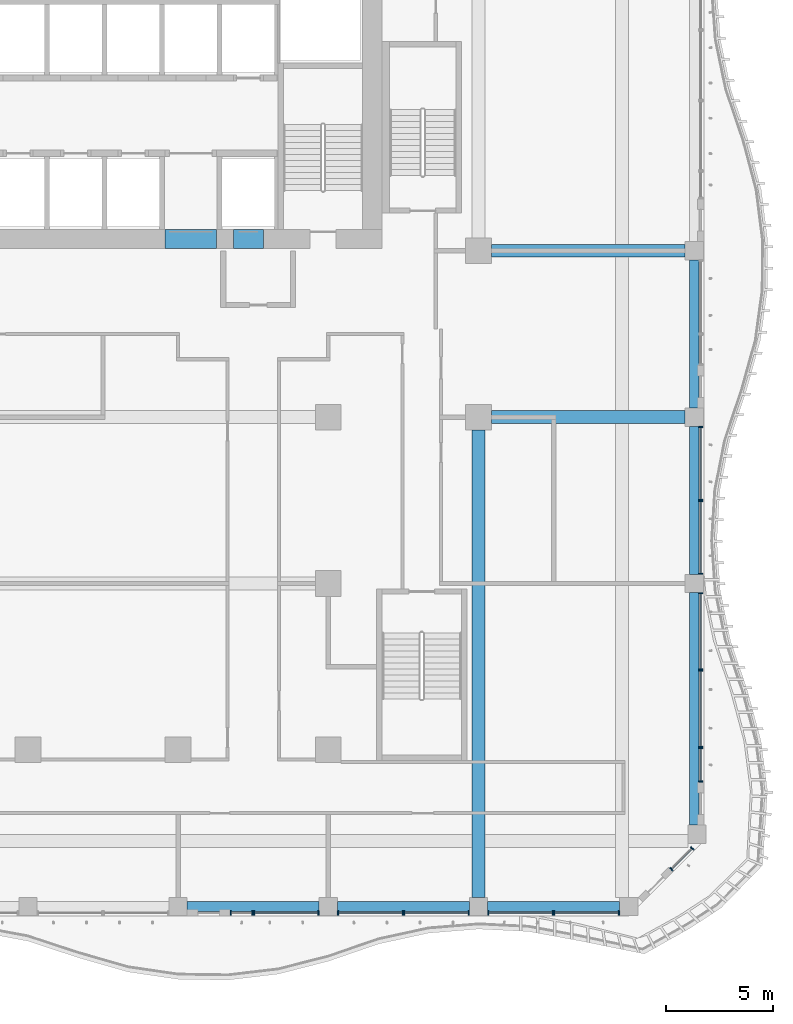
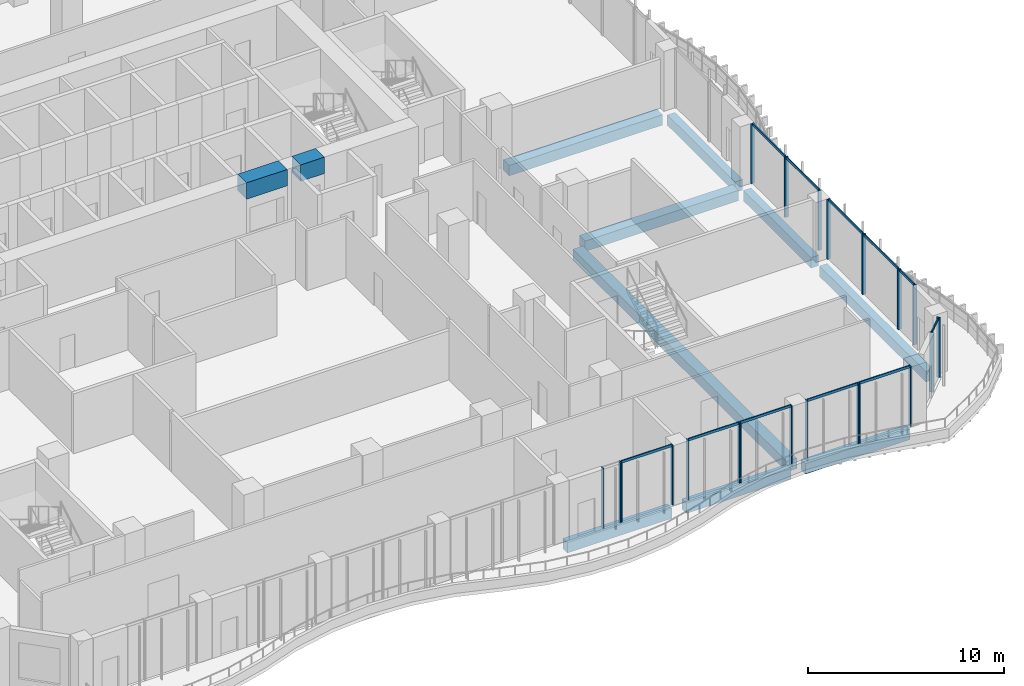
# One storey, part 4 of 26: 35 members, 11 beams, 12 elements without a shape of their own.
"""IFC4 building model written with IfcOpenShell, lengths in metres."""

from ifc_helpers import new_model, si_unit, direction, frame, origin, origin_2d, place, context, subcontext, project, spatial, rectangle, extrude, source, transform, mapped, material, material_profile, profile_set, type_object, element, aggregate, save


model = new_model("IFC4")

# Units and contexts
model_context = context("Model", 3, precision=1e-05, world=origin(), true_north=direction((0.0, 1.0)))
body_context = subcontext(model_context, "Body", "Model", "MODEL_VIEW")
ifc_project = project(units=[si_unit("LENGTHUNIT", "METRE"), si_unit("AREAUNIT", "SQUARE_METRE"), si_unit("VOLUMEUNIT", "CUBIC_METRE"), si_unit("PLANEANGLEUNIT", "RADIAN"), si_unit("MASSUNIT", "GRAM", prefix="KILO")], contexts=[model_context])

# Site, building, storey
site_placement = place(None, origin())
site = spatial("IfcSite", under=ifc_project, at=site_placement, CompositionType="ELEMENT")
building_placement = place(site_placement, origin())
building = spatial("IfcBuilding", under=site, at=building_placement, Name="Kilnfold Tower and Market Hall", CompositionType="ELEMENT")
storey_placement = place(building_placement, frame((0.0, 0.0, 108.60009765625)))
storey = spatial("IfcBuildingStorey", under=building, at=storey_placement, Name="L25", CompositionType="ELEMENT", Elevation=108.60009765625)

# Beams
ifc_material_1 = material(Name="Concrete C70", Category="concrete")
ifc_material_profile_1 = material_profile(ifc_material_1, rectangle(XDim=0.89990234375, YDim=1.02001953125, at=origin_2d()), Name="RC 900x1020")
ifc_profile_set_1 = profile_set([ifc_material_profile_1], Name="Concrete C70")
beam_type_1 = type_object("IfcBeamType", Name="COUPLING BEAM 900X1020 C70", PredefinedType="BEAM", material=ifc_profile_set_1)
shared_shape_1 = source(origin(), body_context, "Body", "SweptSolid", [
    extrude(rectangle(XDim=0.89990234375, YDim=1.02001953125, at=origin_2d()), origin(), (0.0, 0.0, 1.0), 1.39990234375),
])
beam_1_placement = place(storey_placement, frame((11.070068359375, 8.550048828125, 3.2099609375), z_axis=(1.0, 0.0, 0.0), x_axis=(0.0, 1.0, 0.0)))
element("IfcBeam", 1, at=beam_1_placement, inside=storey, type_object=beam_type_1, Name="Coupling beam CB1020-70-CORE.43", PredefinedType="BEAM", context=body_context, shape_type="MappedRepresentation", body=[
    mapped(shared_shape_1, transform((0.0, 0.0, 0.0))),
])
shared_shape_2 = source(origin(), body_context, "Body", "SweptSolid", [
    extrude(rectangle(XDim=0.89990234375, YDim=1.02001953125, at=origin_2d()), origin(), (0.0, 0.0, 1.0), 2.400146484375),
])
beam_2_placement = place(storey_placement, frame((7.889892578125, 8.550048828125, 3.2099609375), z_axis=(1.0, 0.0, 0.0), x_axis=(0.0, 1.0, 0.0)))
element("IfcBeam", 2, at=beam_2_placement, inside=storey, type_object=beam_type_1, Name="Coupling beam CB1020-70-CORE.42", PredefinedType="BEAM", context=body_context, shape_type="MappedRepresentation", body=[
    mapped(shared_shape_2, transform((0.0, 0.0, 0.0))),
])
ifc_material_2 = material(Name="Concrete C45", Category="concrete")
ifc_material_profile_2 = material_profile(ifc_material_2, rectangle(XDim=0.449951171875, YDim=0.64990234375, at=origin_2d()), Name="RC 450x650")
ifc_profile_set_2 = profile_set([ifc_material_profile_2], Name="Concrete C45")
beam_type_2 = type_object("IfcBeamType", Name="EDGE BEAM 450X650 C45", PredefinedType="BEAM", material=ifc_profile_set_2)
shared_shape_3 = source(origin(), body_context, "Body", "SweptSolid", [
    extrude(rectangle(XDim=0.449951171875, YDim=0.64990234375, at=origin_2d()), origin(), (0.0, 0.0, 1.0), 6.14990234375),
])
for number, where, z_axis, x_axis, name in (
    (3, (8.925048828125, -22.550048828125, -0.60498046875), (1.0, 0.0, 0.0), (0.0, 1.0, 0.0), "Beam EB650-B3.56"),
    (4, (15.925048828125, -22.550048828125, -0.60498046875), (1.0, 0.0, 0.0), (0.0, 1.0, 0.0), "Beam EB650-B3.57"),
    (5, (22.925048828125, -22.550048828125, -0.60498046875), (1.0, 0.0, 0.0), (0.0, 1.0, 0.0), "Beam EB650-B3.58"),
):
    element("IfcBeam", number, at=place(storey_placement, frame(where, z_axis=z_axis, x_axis=x_axis)), inside=storey, type_object=beam_type_2, Name=name, PredefinedType="BEAM", context=body_context, shape_type="MappedRepresentation", body=[
        mapped(shared_shape_3, transform((0.0, 0.0, 0.0))),
    ])
ifc_material_3 = material(Name="Concrete C45", Category="concrete")
ifc_material_profile_3 = material_profile(ifc_material_3, rectangle(XDim=0.60009765625, YDim=0.64990234375, at=origin_2d()), Name="RC 600x650")
ifc_profile_set_3 = profile_set([ifc_material_profile_3], Name="Concrete C45")
beam_type_3 = type_object("IfcBeamType", Name="BEAM 600X650 C45", PredefinedType="BEAM", material=ifc_profile_set_3)
shared_shape_4 = source(origin(), body_context, "Body", "SweptSolid", [
    extrude(rectangle(XDim=0.60009765625, YDim=0.64990234375, at=origin_2d()), origin(), (0.0, 0.0, 1.0), 9.02490234375),
])
for number, where, z_axis, x_axis, name in (
    (6, (23.10009765625, 0.25, -0.60498046875), (1.0, 0.0, 0.0), (0.0, 1.0, 0.0), "Beam BB650-B3.63"),
    (7, (23.10009765625, 8.0, -0.60498046875), (1.0, 0.0, 0.0), (0.0, 1.0, 0.0), "Beam BB650-B3.64"),
):
    element("IfcBeam", number, at=place(storey_placement, frame(where, z_axis=z_axis, x_axis=x_axis)), inside=storey, type_object=beam_type_3, Name=name, PredefinedType="BEAM", context=body_context, shape_type="MappedRepresentation", body=[
        mapped(shared_shape_4, transform((0.0, 0.0, 0.0))),
    ])
shared_shape_5 = source(origin(), body_context, "Body", "SweptSolid", [
    extrude(rectangle(XDim=0.449951171875, YDim=0.64990234375, at=origin_2d()), origin(), (0.0, 0.0, 1.0), 6.89990234375),
])
for number, where, z_axis, x_axis, name in (
    (8, (32.550048828125, -7.074951171875, -0.60498046875), (0.0, 1.0, 0.0), (-1.0, 0.0, 0.0), "Beam EB650-B3.84"),
    (9, (32.550048828125, 0.675048828125, -0.60498046875), (0.0, 1.0, 0.0), (-1.0, 0.0, 0.0), "Beam EB650-B3.85"),
):
    element("IfcBeam", number, at=place(storey_placement, frame(where, z_axis=z_axis, x_axis=x_axis)), inside=storey, type_object=beam_type_2, Name=name, PredefinedType="BEAM", context=body_context, shape_type="MappedRepresentation", body=[
        mapped(shared_shape_5, transform((0.0, 0.0, 0.0))),
    ])
shared_shape_6 = source(origin(), body_context, "Body", "SweptSolid", [
    extrude(rectangle(XDim=0.60009765625, YDim=0.64990234375, at=origin_2d()), origin(), (0.0, 0.0, 1.0), 21.77490234375),
])
beam_3_placement = place(storey_placement, frame((22.5, -22.125, -0.60498046875), z_axis=(0.0, 1.0, 0.0), x_axis=(-1.0, 0.0, 0.0)))
element("IfcBeam", 10, at=beam_3_placement, inside=storey, type_object=beam_type_3, Name="Beam BB650-B3.80", PredefinedType="BEAM", context=body_context, shape_type="MappedRepresentation", body=[
    mapped(shared_shape_6, transform((0.0, 0.0, 0.0))),
])
shared_shape_7 = source(origin(), body_context, "Body", "SweptSolid", [
    extrude(rectangle(XDim=0.449951171875, YDim=0.64990234375, at=origin_2d()), origin(), (0.0, 0.0, 1.0), 10.831787109375),
])
beam_4_placement = place(storey_placement, frame((32.550048828125, -18.7568359375, -0.60498046875), z_axis=(0.0, 1.0, 0.0), x_axis=(-1.0, 0.0, 0.0)))
element("IfcBeam", 11, at=beam_4_placement, inside=storey, type_object=beam_type_2, Name="Beam EB650-B3.83", PredefinedType="BEAM", context=body_context, shape_type="MappedRepresentation", body=[
    mapped(shared_shape_7, transform((0.0, 0.0, 0.0))),
])

# Curtain wall, members
ifc_material_4 = material(Name="Aluminium and double glazing", Category="aluminium")
curtain_wall_type = type_object("IfcCurtainWallType", Name="CW OF2 VALLEY GLAZING", PredefinedType="NOTDEFINED", material=ifc_material_4)
curtain_wall_1_placement = place(storey_placement, origin())
curtain_wall_1 = element("IfcCurtainWall", 12, at=curtain_wall_1_placement, inside=storey, type_object=curtain_wall_type, Name="Curtain wall CW2 L25 S", PredefinedType="NOTDEFINED")
ifc_material_5 = material(Name="Aluminium", Category="aluminium")
ifc_material_profile_4 = material_profile(ifc_material_5, rectangle(XDim=0.06005859375, YDim=0.199951171875, at=origin_2d()), Name="MULLION 60x200")
ifc_profile_set_4 = profile_set([ifc_material_profile_4], Name="Aluminium")
member_type_1 = type_object("IfcMemberType", Name="MULLION 60X200", PredefinedType="MULLION", material=ifc_profile_set_4)
shared_shape_8 = source(origin(), body_context, "Body", "SweptSolid", [
    extrude(rectangle(XDim=0.06005859375, YDim=0.199951171875, at=origin_2d()), origin(), (0.0, 0.0, 1.0), 3.719970703125),
])
member_1_placement = place(storey_placement, frame((10.955078125, -22.85009765625, 0.0), z_axis=(0.0, 0.0, 1.0), x_axis=(1.0, 0.0, 0.0)))
member_1 = element("IfcMember", 13, at=member_1_placement, type_object=member_type_1, Name="CW2 mullion 1", PredefinedType="MULLION", context=body_context, shape_type="MappedRepresentation", body=[
    mapped(shared_shape_8, transform((0.0, 0.0, 0.0))),
])
member_2_placement = place(storey_placement, frame((11.969970703125, -22.85009765625, 0.0), z_axis=(0.0, 0.0, 1.0), x_axis=(1.0, 0.0, 0.0)))
member_2 = element("IfcMember", 14, at=member_2_placement, type_object=member_type_1, Name="CW2 mullion 2", PredefinedType="MULLION", context=body_context, shape_type="MappedRepresentation", body=[
    mapped(shared_shape_8, transform((0.0, 0.0, 0.0))),
])
aggregate(curtain_wall_1, [member_1, member_2])

curtain_wall_2_placement = place(storey_placement, origin())
curtain_wall_2 = element("IfcCurtainWall", 15, at=curtain_wall_2_placement, inside=storey, type_object=curtain_wall_type, Name="Curtain wall CW2 L25 S", PredefinedType="NOTDEFINED")
member_3_placement = place(storey_placement, frame((12.030029296875, -22.85009765625, 0.0), z_axis=(0.0, 0.0, 1.0), x_axis=(1.0, 0.0, 0.0)))
member_3 = element("IfcMember", 16, at=member_3_placement, type_object=member_type_1, Name="CW2 mullion 1", PredefinedType="MULLION", context=body_context, shape_type="MappedRepresentation", body=[
    mapped(shared_shape_8, transform((0.0, 0.0, 0.0))),
])
member_4_placement = place(storey_placement, frame((15.044921875, -22.85009765625, 0.0), z_axis=(0.0, 0.0, 1.0), x_axis=(1.0, 0.0, 0.0)))
member_4 = element("IfcMember", 17, at=member_4_placement, type_object=member_type_1, Name="CW2 mullion 2", PredefinedType="MULLION", context=body_context, shape_type="MappedRepresentation", body=[
    mapped(shared_shape_8, transform((0.0, 0.0, 0.0))),
])

curtain_wall_3_placement = place(storey_placement, origin())
curtain_wall_3 = element("IfcCurtainWall", 18, at=curtain_wall_3_placement, inside=storey, type_object=curtain_wall_type, Name="Curtain wall CW2 L25 S", PredefinedType="NOTDEFINED")
member_5_placement = place(storey_placement, frame((15.955078125, -22.85009765625, 0.0), z_axis=(0.0, 0.0, 1.0), x_axis=(1.0, 0.0, 0.0)))
member_5 = element("IfcMember", 19, at=member_5_placement, type_object=member_type_1, Name="CW2 mullion 1", PredefinedType="MULLION", context=body_context, shape_type="MappedRepresentation", body=[
    mapped(shared_shape_8, transform((0.0, 0.0, 0.0))),
])
member_6_placement = place(storey_placement, frame((18.969970703125, -22.85009765625, 0.0), z_axis=(0.0, 0.0, 1.0), x_axis=(1.0, 0.0, 0.0)))
member_6 = element("IfcMember", 20, at=member_6_placement, type_object=member_type_1, Name="CW2 mullion 2", PredefinedType="MULLION", context=body_context, shape_type="MappedRepresentation", body=[
    mapped(shared_shape_8, transform((0.0, 0.0, 0.0))),
])

curtain_wall_4_placement = place(storey_placement, origin())
curtain_wall_4 = element("IfcCurtainWall", 21, at=curtain_wall_4_placement, inside=storey, type_object=curtain_wall_type, Name="Curtain wall CW2 L25 S", PredefinedType="NOTDEFINED")
member_7_placement = place(storey_placement, frame((19.030029296875, -22.85009765625, 0.0), z_axis=(0.0, 0.0, 1.0), x_axis=(1.0, 0.0, 0.0)))
member_7 = element("IfcMember", 22, at=member_7_placement, type_object=member_type_1, Name="CW2 mullion 1", PredefinedType="MULLION", context=body_context, shape_type="MappedRepresentation", body=[
    mapped(shared_shape_8, transform((0.0, 0.0, 0.0))),
])
member_8_placement = place(storey_placement, frame((22.044921875, -22.85009765625, 0.0), z_axis=(0.0, 0.0, 1.0), x_axis=(1.0, 0.0, 0.0)))
member_8 = element("IfcMember", 23, at=member_8_placement, type_object=member_type_1, Name="CW2 mullion 2", PredefinedType="MULLION", context=body_context, shape_type="MappedRepresentation", body=[
    mapped(shared_shape_8, transform((0.0, 0.0, 0.0))),
])

curtain_wall_5_placement = place(storey_placement, origin())
curtain_wall_5 = element("IfcCurtainWall", 24, at=curtain_wall_5_placement, inside=storey, type_object=curtain_wall_type, Name="Curtain wall CW2 L25 S", PredefinedType="NOTDEFINED")
member_9_placement = place(storey_placement, frame((22.955078125, -22.85009765625, 0.0), z_axis=(0.0, 0.0, 1.0), x_axis=(1.0, 0.0, 0.0)))
member_9 = element("IfcMember", 25, at=member_9_placement, type_object=member_type_1, Name="CW2 mullion 1", PredefinedType="MULLION", context=body_context, shape_type="MappedRepresentation", body=[
    mapped(shared_shape_8, transform((0.0, 0.0, 0.0))),
])
member_10_placement = place(storey_placement, frame((25.969970703125, -22.85009765625, 0.0), z_axis=(0.0, 0.0, 1.0), x_axis=(1.0, 0.0, 0.0)))
member_10 = element("IfcMember", 26, at=member_10_placement, type_object=member_type_1, Name="CW2 mullion 2", PredefinedType="MULLION", context=body_context, shape_type="MappedRepresentation", body=[
    mapped(shared_shape_8, transform((0.0, 0.0, 0.0))),
])

curtain_wall_6_placement = place(storey_placement, origin())
curtain_wall_6 = element("IfcCurtainWall", 27, at=curtain_wall_6_placement, inside=storey, type_object=curtain_wall_type, Name="Curtain wall CW2 L25 S", PredefinedType="NOTDEFINED")
member_11_placement = place(storey_placement, frame((26.030029296875, -22.85009765625, 0.0), z_axis=(0.0, 0.0, 1.0), x_axis=(1.0, 0.0, 0.0)))
member_11 = element("IfcMember", 28, at=member_11_placement, type_object=member_type_1, Name="CW2 mullion 1", PredefinedType="MULLION", context=body_context, shape_type="MappedRepresentation", body=[
    mapped(shared_shape_8, transform((0.0, 0.0, 0.0))),
])
member_12_placement = place(storey_placement, frame((29.044921875, -22.85009765625, 0.0), z_axis=(0.0, 0.0, 1.0), x_axis=(1.0, 0.0, 0.0)))
member_12 = element("IfcMember", 29, at=member_12_placement, type_object=member_type_1, Name="CW2 mullion 2", PredefinedType="MULLION", context=body_context, shape_type="MappedRepresentation", body=[
    mapped(shared_shape_8, transform((0.0, 0.0, 0.0))),
])

curtain_wall_7_placement = place(storey_placement, origin())
curtain_wall_7 = element("IfcCurtainWall", 30, at=curtain_wall_7_placement, inside=storey, type_object=curtain_wall_type, Name="Curtain wall CW2 L25 SE", PredefinedType="NOTDEFINED")
member_13_placement = place(storey_placement, frame((31.479248046875, -20.80859375, 0.0), z_axis=(0.0, 0.0, 1.0), x_axis=(0.707106781187, 0.707106781187, 0.0)))
member_13 = element("IfcMember", 31, at=member_13_placement, type_object=member_type_1, Name="CW2 mullion 1", PredefinedType="MULLION", context=body_context, shape_type="MappedRepresentation", body=[
    mapped(shared_shape_8, transform((0.0, 0.0, 0.0))),
])
member_14_placement = place(storey_placement, frame((32.44775390625, -19.840087890625, 0.0), z_axis=(0.0, 0.0, 1.0), x_axis=(0.707106781187, 0.707106781187, 0.0)))
member_14 = element("IfcMember", 32, at=member_14_placement, type_object=member_type_1, Name="CW2 mullion 2", PredefinedType="MULLION", context=body_context, shape_type="MappedRepresentation", body=[
    mapped(shared_shape_8, transform((0.0, 0.0, 0.0))),
])

curtain_wall_8_placement = place(storey_placement, origin())
curtain_wall_8 = element("IfcCurtainWall", 33, at=curtain_wall_8_placement, inside=storey, type_object=curtain_wall_type, Name="Curtain wall CW2 L25 E", PredefinedType="NOTDEFINED")
member_15_placement = place(storey_placement, frame((32.85009765625, -16.726806640625, 0.0), z_axis=(0.0, 0.0, 1.0), x_axis=(0.0, 1.0, 0.0)))
member_15 = element("IfcMember", 34, at=member_15_placement, type_object=member_type_1, Name="CW2 mullion 1", PredefinedType="MULLION", context=body_context, shape_type="MappedRepresentation", body=[
    mapped(shared_shape_8, transform((0.0, 0.0, 0.0))),
])
member_16_placement = place(storey_placement, frame((32.85009765625, -15.17626953125, 0.0), z_axis=(0.0, 0.0, 1.0), x_axis=(0.0, 1.0, 0.0)))
member_16 = element("IfcMember", 35, at=member_16_placement, type_object=member_type_1, Name="CW2 mullion 2", PredefinedType="MULLION", context=body_context, shape_type="MappedRepresentation", body=[
    mapped(shared_shape_8, transform((0.0, 0.0, 0.0))),
])

curtain_wall_9_placement = place(storey_placement, origin())
curtain_wall_9 = element("IfcCurtainWall", 36, at=curtain_wall_9_placement, inside=storey, type_object=curtain_wall_type, Name="Curtain wall CW2 L25 E", PredefinedType="NOTDEFINED")
member_17_placement = place(storey_placement, frame((32.85009765625, -15.1162109375, 0.0), z_axis=(0.0, 0.0, 1.0), x_axis=(0.0, 1.0, 0.0)))
member_17 = element("IfcMember", 37, at=member_17_placement, type_object=member_type_1, Name="CW2 mullion 1", PredefinedType="MULLION", context=body_context, shape_type="MappedRepresentation", body=[
    mapped(shared_shape_8, transform((0.0, 0.0, 0.0))),
])
member_18_placement = place(storey_placement, frame((32.85009765625, -11.565673828125, 0.0), z_axis=(0.0, 0.0, 1.0), x_axis=(0.0, 1.0, 0.0)))
member_18 = element("IfcMember", 38, at=member_18_placement, type_object=member_type_1, Name="CW2 mullion 2", PredefinedType="MULLION", context=body_context, shape_type="MappedRepresentation", body=[
    mapped(shared_shape_8, transform((0.0, 0.0, 0.0))),
])

curtain_wall_10_placement = place(storey_placement, origin())
curtain_wall_10 = element("IfcCurtainWall", 39, at=curtain_wall_10_placement, inside=storey, type_object=curtain_wall_type, Name="Curtain wall CW2 L25 E", PredefinedType="NOTDEFINED")
member_19_placement = place(storey_placement, frame((32.85009765625, -11.505615234375, 0.0), z_axis=(0.0, 0.0, 1.0), x_axis=(0.0, 1.0, 0.0)))
member_19 = element("IfcMember", 40, at=member_19_placement, type_object=member_type_1, Name="CW2 mullion 1", PredefinedType="MULLION", context=body_context, shape_type="MappedRepresentation", body=[
    mapped(shared_shape_8, transform((0.0, 0.0, 0.0))),
])
member_20_placement = place(storey_placement, frame((32.85009765625, -7.955078125, 0.0), z_axis=(0.0, 0.0, 1.0), x_axis=(0.0, 1.0, 0.0)))
member_20 = element("IfcMember", 41, at=member_20_placement, type_object=member_type_1, Name="CW2 mullion 2", PredefinedType="MULLION", context=body_context, shape_type="MappedRepresentation", body=[
    mapped(shared_shape_8, transform((0.0, 0.0, 0.0))),
])

curtain_wall_11_placement = place(storey_placement, origin())
curtain_wall_11 = element("IfcCurtainWall", 42, at=curtain_wall_11_placement, inside=storey, type_object=curtain_wall_type, Name="Curtain wall CW2 L25 E", PredefinedType="NOTDEFINED")
member_21_placement = place(storey_placement, frame((32.85009765625, -7.044921875, 0.0), z_axis=(0.0, 0.0, 1.0), x_axis=(0.0, 1.0, 0.0)))
member_21 = element("IfcMember", 43, at=member_21_placement, type_object=member_type_1, Name="CW2 mullion 1", PredefinedType="MULLION", context=body_context, shape_type="MappedRepresentation", body=[
    mapped(shared_shape_8, transform((0.0, 0.0, 0.0))),
])
member_22_placement = place(storey_placement, frame((32.85009765625, -3.655029296875, 0.0), z_axis=(0.0, 0.0, 1.0), x_axis=(0.0, 1.0, 0.0)))
member_22 = element("IfcMember", 44, at=member_22_placement, type_object=member_type_1, Name="CW2 mullion 2", PredefinedType="MULLION", context=body_context, shape_type="MappedRepresentation", body=[
    mapped(shared_shape_8, transform((0.0, 0.0, 0.0))),
])

curtain_wall_12_placement = place(storey_placement, origin())
curtain_wall_12 = element("IfcCurtainWall", 45, at=curtain_wall_12_placement, inside=storey, type_object=curtain_wall_type, Name="Curtain wall CW2 L25 E", PredefinedType="NOTDEFINED")
member_23_placement = place(storey_placement, frame((32.85009765625, -3.594970703125, 0.0), z_axis=(0.0, 0.0, 1.0), x_axis=(0.0, 1.0, 0.0)))
member_23 = element("IfcMember", 46, at=member_23_placement, type_object=member_type_1, Name="CW2 mullion 1", PredefinedType="MULLION", context=body_context, shape_type="MappedRepresentation", body=[
    mapped(shared_shape_8, transform((0.0, 0.0, 0.0))),
])
member_24_placement = place(storey_placement, frame((32.85009765625, -0.205078125, 0.0), z_axis=(0.0, 0.0, 1.0), x_axis=(0.0, 1.0, 0.0)))
member_24 = element("IfcMember", 47, at=member_24_placement, type_object=member_type_1, Name="CW2 mullion 2", PredefinedType="MULLION", context=body_context, shape_type="MappedRepresentation", body=[
    mapped(shared_shape_8, transform((0.0, 0.0, 0.0))),
])

# Member
ifc_material_6 = material(Name="Aluminium", Category="aluminium")
ifc_material_profile_5 = material_profile(ifc_material_6, rectangle(XDim=0.06005859375, YDim=0.159912109375, at=origin_2d()), Name="TRANSOM 60x160")
ifc_profile_set_5 = profile_set([ifc_material_profile_5], Name="Aluminium")
member_type_2 = type_object("IfcMemberType", Name="TRANSOM 60X160", PredefinedType="USERDEFINED", material=ifc_profile_set_5)
shared_shape_9 = source(origin(), body_context, "Body", "SweptSolid", [
    extrude(rectangle(XDim=0.06005859375, YDim=0.159912109375, at=origin_2d()), origin(), (0.0, 0.0, 1.0), 2.954833984375),
])
member_25_placement = place(storey_placement, frame((12.06005859375, -22.85009765625, 3.68994140625), z_axis=(1.0, 0.0, 0.0), x_axis=(0.0, 1.0, 0.0)))
member_25 = element("IfcMember", 48, at=member_25_placement, type_object=member_type_2, Name="CW2 transom 1.2", ObjectType="TRANSOM", PredefinedType="USERDEFINED", context=body_context, shape_type="MappedRepresentation", body=[
    mapped(shared_shape_9, transform((0.0, 0.0, 0.0))),
])

aggregate(curtain_wall_2, [member_3, member_4, member_25])

member_26_placement = place(storey_placement, frame((15.985107421875, -22.85009765625, 3.68994140625), z_axis=(1.0, 0.0, 0.0), x_axis=(0.0, 1.0, 0.0)))
member_26 = element("IfcMember", 49, at=member_26_placement, type_object=member_type_2, Name="CW2 transom 1.2", ObjectType="TRANSOM", PredefinedType="USERDEFINED", context=body_context, shape_type="MappedRepresentation", body=[
    mapped(shared_shape_9, transform((0.0, 0.0, 0.0))),
])

aggregate(curtain_wall_3, [member_5, member_6, member_26])

member_27_placement = place(storey_placement, frame((19.06005859375, -22.85009765625, 3.68994140625), z_axis=(1.0, 0.0, 0.0), x_axis=(0.0, 1.0, 0.0)))
member_27 = element("IfcMember", 50, at=member_27_placement, type_object=member_type_2, Name="CW2 transom 1.2", ObjectType="TRANSOM", PredefinedType="USERDEFINED", context=body_context, shape_type="MappedRepresentation", body=[
    mapped(shared_shape_9, transform((0.0, 0.0, 0.0))),
])

aggregate(curtain_wall_4, [member_7, member_8, member_27])

member_28_placement = place(storey_placement, frame((22.985107421875, -22.85009765625, 3.68994140625), z_axis=(1.0, 0.0, 0.0), x_axis=(0.0, 1.0, 0.0)))
member_28 = element("IfcMember", 51, at=member_28_placement, type_object=member_type_2, Name="CW2 transom 1.2", ObjectType="TRANSOM", PredefinedType="USERDEFINED", context=body_context, shape_type="MappedRepresentation", body=[
    mapped(shared_shape_9, transform((0.0, 0.0, 0.0))),
])

aggregate(curtain_wall_5, [member_9, member_10, member_28])

member_29_placement = place(storey_placement, frame((26.06005859375, -22.85009765625, 3.68994140625), z_axis=(1.0, 0.0, 0.0), x_axis=(0.0, 1.0, 0.0)))
member_29 = element("IfcMember", 52, at=member_29_placement, type_object=member_type_2, Name="CW2 transom 1.2", ObjectType="TRANSOM", PredefinedType="USERDEFINED", context=body_context, shape_type="MappedRepresentation", body=[
    mapped(shared_shape_9, transform((0.0, 0.0, 0.0))),
])

aggregate(curtain_wall_6, [member_11, member_12, member_29])

shared_shape_10 = source(origin(), body_context, "Body", "SweptSolid", [
    extrude(rectangle(XDim=0.06005859375, YDim=0.159912109375, at=origin_2d()), origin(), (0.0, 0.0, 1.0), 1.3095703125),
])
member_30_placement = place(storey_placement, frame((31.50048828125, -20.787353515625, 3.68994140625), z_axis=(0.707106781187, 0.707106781187, 0.0), x_axis=(-0.707106781187, 0.707106781187, 0.0)))
member_30 = element("IfcMember", 53, at=member_30_placement, type_object=member_type_2, Name="CW2 transom 1.2", ObjectType="TRANSOM", PredefinedType="USERDEFINED", context=body_context, shape_type="MappedRepresentation", body=[
    mapped(shared_shape_10, transform((0.0, 0.0, 0.0))),
])

aggregate(curtain_wall_7, [member_13, member_14, member_30])

shared_shape_11 = source(origin(), body_context, "Body", "SweptSolid", [
    extrude(rectangle(XDim=0.06005859375, YDim=0.159912109375, at=origin_2d()), origin(), (0.0, 0.0, 1.0), 3.490478515625),
])
member_31_placement = place(storey_placement, frame((32.85009765625, -15.086181640625, 3.68994140625), z_axis=(0.0, 1.0, 0.0), x_axis=(-1.0, 0.0, 0.0)))
member_31 = element("IfcMember", 54, at=member_31_placement, type_object=member_type_2, Name="CW2 transom 1.2", ObjectType="TRANSOM", PredefinedType="USERDEFINED", context=body_context, shape_type="MappedRepresentation", body=[
    mapped(shared_shape_11, transform((0.0, 0.0, 0.0))),
])

aggregate(curtain_wall_9, [member_17, member_18, member_31])

member_32_placement = place(storey_placement, frame((32.85009765625, -11.4755859375, 3.68994140625), z_axis=(0.0, 1.0, 0.0), x_axis=(-1.0, 0.0, 0.0)))
member_32 = element("IfcMember", 55, at=member_32_placement, type_object=member_type_2, Name="CW2 transom 1.2", ObjectType="TRANSOM", PredefinedType="USERDEFINED", context=body_context, shape_type="MappedRepresentation", body=[
    mapped(shared_shape_11, transform((0.0, 0.0, 0.0))),
])

aggregate(curtain_wall_10, [member_19, member_20, member_32])

shared_shape_12 = source(origin(), body_context, "Body", "SweptSolid", [
    extrude(rectangle(XDim=0.06005859375, YDim=0.159912109375, at=origin_2d()), origin(), (0.0, 0.0, 1.0), 3.329833984375),
])
member_33_placement = place(storey_placement, frame((32.85009765625, -7.014892578125, 3.68994140625), z_axis=(0.0, 1.0, 0.0), x_axis=(-1.0, 0.0, 0.0)))
member_33 = element("IfcMember", 56, at=member_33_placement, type_object=member_type_2, Name="CW2 transom 1.2", ObjectType="TRANSOM", PredefinedType="USERDEFINED", context=body_context, shape_type="MappedRepresentation", body=[
    mapped(shared_shape_12, transform((0.0, 0.0, 0.0))),
])

aggregate(curtain_wall_11, [member_21, member_22, member_33])

member_34_placement = place(storey_placement, frame((32.85009765625, -3.56494140625, 3.68994140625), z_axis=(0.0, 1.0, 0.0), x_axis=(-1.0, 0.0, 0.0)))
member_34 = element("IfcMember", 57, at=member_34_placement, type_object=member_type_2, Name="CW2 transom 1.2", ObjectType="TRANSOM", PredefinedType="USERDEFINED", context=body_context, shape_type="MappedRepresentation", body=[
    mapped(shared_shape_12, transform((0.0, 0.0, 0.0))),
])

aggregate(curtain_wall_12, [member_23, member_24, member_34])

shared_shape_13 = source(origin(), body_context, "Body", "SweptSolid", [
    extrude(rectangle(XDim=0.06005859375, YDim=0.159912109375, at=origin_2d()), origin(), (0.0, 0.0, 1.0), 1.490478515625),
])
member_35_placement = place(storey_placement, frame((32.85009765625, -16.69677734375, 3.68994140625), z_axis=(0.0, 1.0, 0.0), x_axis=(-1.0, 0.0, 0.0)))
member_35 = element("IfcMember", 58, at=member_35_placement, type_object=member_type_2, Name="CW2 transom 1.2", ObjectType="TRANSOM", PredefinedType="USERDEFINED", context=body_context, shape_type="MappedRepresentation", body=[
    mapped(shared_shape_13, transform((0.0, 0.0, 0.0))),
])

aggregate(curtain_wall_8, [member_15, member_16, member_35])

save(model, "model.ifc")
